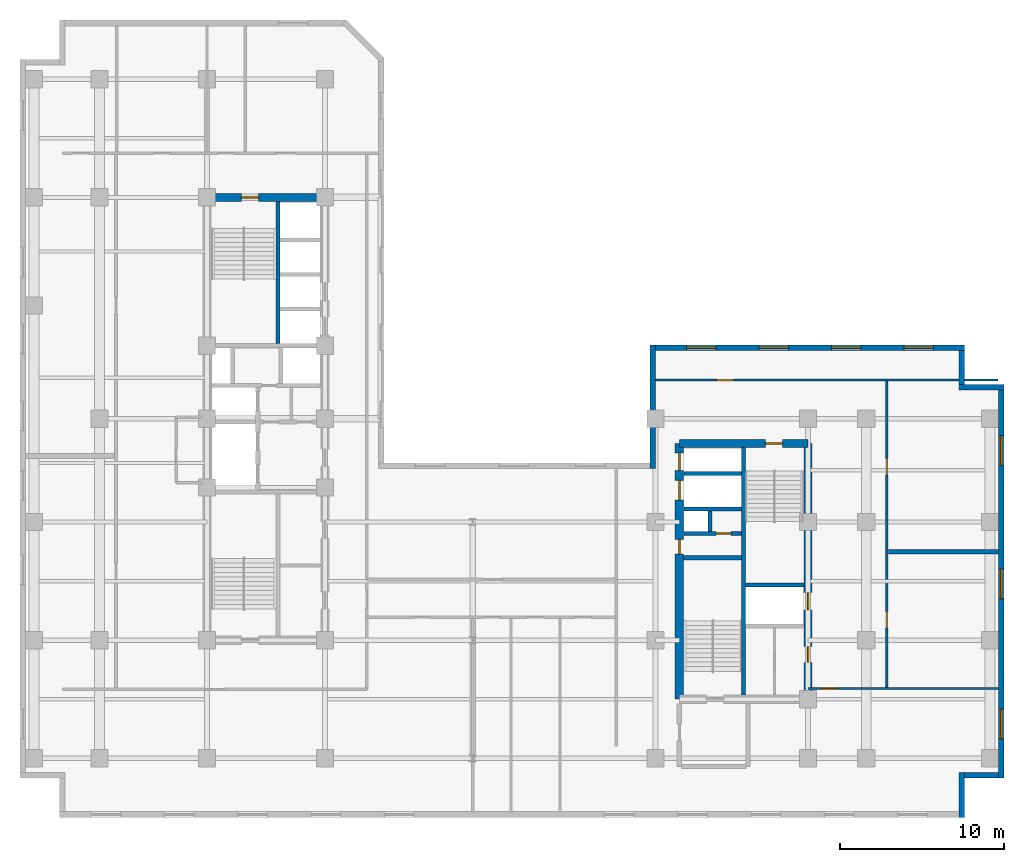
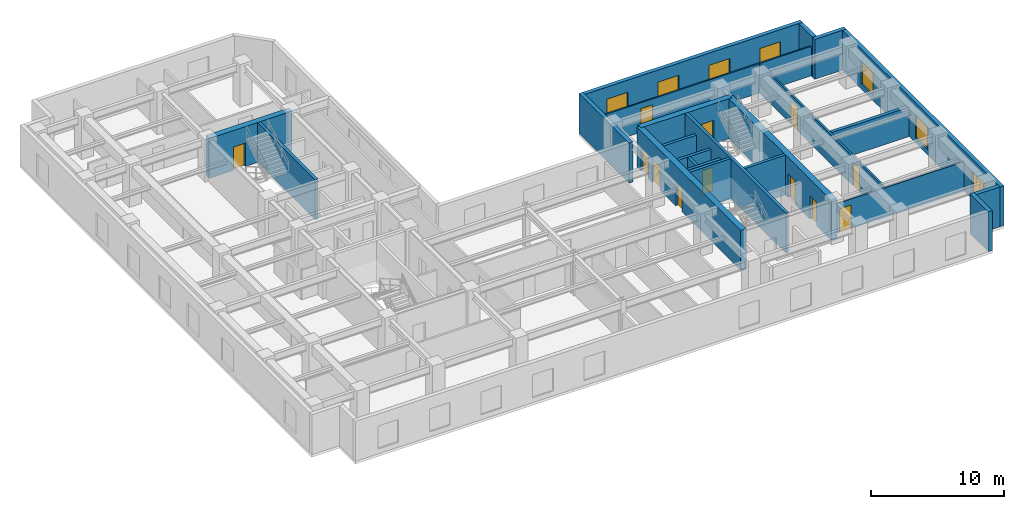
# One storey, part 5 of 9: 23 walls, 12 doors, 7 windows, 19 openings.
"""IFC4 building model written with IfcOpenShell, lengths in metres."""

import ifcopenshell
import ifcopenshell.guid

model = None  # the IFC model being written
_history = None  # IfcOwnerHistory: only IFC2X3 demands one
_inside = {}  # id of a spatial element -> (the spatial element, [elements in it])
_under = {}  # id of a project, library or spatial element -> (it, [spatial elements below it])
_declared = {}  # id of a project -> (the project, [libraries it declares])
_typed = {}  # id of a type object -> (the type object, [elements of that type])
_made_of = {}  # id of a material, layer set ... -> (it, [elements and type objects made of it])


def new_model(schema):
    """Start an empty IFC model of exactly this schema.

    Asked for "IFC4X3", IfcOpenShell would pick the latest addendum, in which some entities
    have other attributes; the version numbers below select the first issue.
    IFC2X3 requires an IfcOwnerHistory on every rooted entity: one is made here for all.
    """
    global model, _history
    if schema == "IFC4X3":
        model = ifcopenshell.file(schema_version=(4, 3, 0, 0))
    else:
        model = ifcopenshell.file(schema=schema)
    _inside.clear()
    _under.clear()
    _declared.clear()
    _typed.clear()
    _made_of.clear()
    _history = None
    if model.schema == "IFC2X3":
        org = make("IfcOrganization", Name="unknown")
        user = make(
            "IfcPersonAndOrganization",
            ThePerson=make("IfcPerson", FamilyName="unknown"),
            TheOrganization=org,
        )
        app = make(
            "IfcApplication",
            ApplicationDeveloper=org,
            Version="unknown",
            ApplicationFullName="unknown",
            ApplicationIdentifier="unknown",
        )
        _history = make(
            "IfcOwnerHistory",
            OwningUser=user,
            OwningApplication=app,
            ChangeAction="ADDED",
            CreationDate=0,
        )
    return model


def make(cls, **values):
    """One entity of the class cls with the attributes given. An attribute that is None is left unset."""
    return model.create_entity(
        cls, **{name: value for name, value in values.items() if value is not None}
    )


def entity(cls, *values):
    """Any entity or typed value of the class cls, its attributes in the order of the schema. None: left unset."""
    e = model.create_entity(cls)
    for i, value in enumerate(values):
        if value is not None:
            e[i] = value
    return e


def rooted(cls, **values):
    """An entity with a GlobalId (a new one), such as an element, a storey or a relation."""
    return make(cls, GlobalId=ifcopenshell.guid.new(), OwnerHistory=_history, **values)


def si_unit(unit_type, name, prefix=None):
    """IfcSIUnit, for example si_unit("LENGTHUNIT", "METRE", prefix="MILLI")."""
    return make("IfcSIUnit", UnitType=unit_type, Prefix=prefix, Name=name)


def converted_unit(unit_type, name, factor, base, dimensions=None, offset=None):
    """IfcConversionBasedUnit, such as the inch: factor (a typed value) times the base unit."""
    return make(
        "IfcConversionBasedUnit"
        if offset is None
        else "IfcConversionBasedUnitWithOffset",
        ConversionOffset=offset,
        Dimensions=None
        if dimensions is None
        else entity("IfcDimensionalExponents", *dimensions),
        UnitType=unit_type,
        Name=name,
        ConversionFactor=make(
            "IfcMeasureWithUnit", ValueComponent=factor, UnitComponent=base
        ),
    )


def assignment(units):
    """IfcUnitAssignment: the units of a project."""
    return None if units is None else make("IfcUnitAssignment", Units=units)


def point(xyz):
    """IfcCartesianPoint."""
    return None if xyz is None else make("IfcCartesianPoint", Coordinates=xyz)


def direction(xyz):
    """IfcDirection."""
    return None if xyz is None else make("IfcDirection", DirectionRatios=xyz)


def frame(location, z_axis=None, x_axis=None):
    """IfcAxis2Placement3D, a coordinate frame: its origin and axes. An axis left out is left unset."""
    return make(
        "IfcAxis2Placement3D",
        Location=point(location),
        Axis=direction(z_axis),
        RefDirection=direction(x_axis),
    )


def frame_2d(location, x_axis=None):
    """IfcAxis2Placement2D, a coordinate frame in the plane: its origin and x axis."""
    return make(
        "IfcAxis2Placement2D", Location=point(location), RefDirection=direction(x_axis)
    )


def origin_with_axes():
    """The frame at (0, 0, 0) with the z axis (0, 0, 1) and the x axis (1, 0, 0) written out."""
    return frame((0.0, 0.0, 0.0), z_axis=(0.0, 0.0, 1.0), x_axis=(1.0, 0.0, 0.0))


def origin_2d_with_axis():
    """The frame at (0, 0) in the plane with the x axis (1, 0) written out."""
    return frame_2d((0.0, 0.0), x_axis=(1.0, 0.0))


def place(relative_to, where):
    """IfcLocalPlacement: puts the frame where relative to a parent placement (None: the world)."""
    return make(
        "IfcLocalPlacement", PlacementRelTo=relative_to, RelativePlacement=where
    )


def context(
    kind, dimensions, precision=None, world=None, true_north=None, identifier=None
):
    """IfcGeometricRepresentationContext, for example the 3D "Model" context."""
    return make(
        "IfcGeometricRepresentationContext",
        ContextIdentifier=identifier,
        ContextType=kind,
        CoordinateSpaceDimension=dimensions,
        Precision=precision,
        WorldCoordinateSystem=world,
        TrueNorth=true_north,
    )


def subcontext(parent, identifier, kind, view, scale=None):
    """IfcGeometricRepresentationSubContext, for example "Body" below "Model"."""
    return make(
        "IfcGeometricRepresentationSubContext",
        ContextIdentifier=identifier,
        ContextType=kind,
        ParentContext=parent,
        TargetScale=scale,
        TargetView=view,
    )


def project(units=None, contexts=None):
    """IfcProject with its units and contexts."""
    return rooted(
        "IfcProject",
        Name="project",
        RepresentationContexts=contexts,
        UnitsInContext=assignment(units),
    )


def spatial(cls, under=None, at=None, **own):
    """A site, building, storey or space (cls), placed at a placement, below another one or the project."""
    s = rooted(cls, ObjectPlacement=at, **own)
    if under is not None:
        _under.setdefault(under.id(), (under, []))[1].append(s)
    return s


def polyline(points):
    """IfcPolyline through the points."""
    return make("IfcPolyline", Points=[point(p) for p in points])


def profile(cls, at=None, kind="AREA", **sizes):
    """A parametric profile (cls). Its sizes go by their IFC names, for example OverallWidth=200.0."""
    return make(cls, ProfileType=kind, Position=at, **sizes)


def rectangle(**sizes):
    """IfcRectangleProfileDef."""
    return profile("IfcRectangleProfileDef", **sizes)


def outline(outer, holes=None, kind="AREA"):
    """IfcArbitraryClosedProfileDef: a profile drawn as a closed curve; with holes, ...WithVoids."""
    if holes is None:
        return make("IfcArbitraryClosedProfileDef", ProfileType=kind, OuterCurve=outer)
    return make(
        "IfcArbitraryProfileDefWithVoids",
        ProfileType=kind,
        OuterCurve=outer,
        InnerCurves=holes,
    )


def extrude(swept, where, along, depth):
    """IfcExtrudedAreaSolid: the profile swept, set in the frame where, extruded along a direction by depth."""
    return make(
        "IfcExtrudedAreaSolid",
        SweptArea=swept,
        Position=where,
        ExtrudedDirection=direction(along),
        Depth=depth,
    )


def shape(context_of_items, identifier, shape_type, items):
    """IfcShapeRepresentation: the items that make up one representation, for example the "Body"."""
    return make(
        "IfcShapeRepresentation",
        ContextOfItems=context_of_items,
        RepresentationIdentifier=identifier,
        RepresentationType=shape_type,
        Items=items,
    )


def material(Name=None, Category=None):
    """IfcMaterial."""
    return make("IfcMaterial", Name=Name, Category=Category)


def layer(
    of_material, thickness, ventilated=None, Name=None, Category=None, Priority=None
):
    """IfcMaterialLayer: one layer of a wall or slab, of a material (None: an air gap)."""
    return make(
        "IfcMaterialLayer",
        Material=of_material,
        LayerThickness=thickness,
        IsVentilated=ventilated,
        Name=Name,
        Category=Category,
        Priority=Priority,
    )


def layer_set(layers, Name=None):
    """IfcMaterialLayerSet."""
    return make("IfcMaterialLayerSet", MaterialLayers=layers, LayerSetName=Name)


def made_of(thing, what):
    """Note that an element or type object is made of a material, layer set ...; save() writes the relation."""
    if what is not None:
        _made_of.setdefault(what.id(), (what, []))[1].append(thing)
    return thing


def type_object(cls, material=None, **own):
    """A type object (cls), such as IfcWallType, which elements share."""
    return made_of(rooted(cls, **own), material)


def element(
    cls,
    number,
    at=None,
    inside=None,
    cuts=None,
    type_object=None,
    material=None,
    context=None,
    identifier="Body",
    shape_type=None,
    held_by="IfcProductDefinitionShape",
    body=None,
    shapes=None,
    **own,
):
    """One element of the class cls, such as IfcWall. Its Tag is "e" and its number.

    at: its placement. inside: the storey or other place that contains it. cuts: it is an
    opening in that element (IfcRelVoidsElement). A single representation is given by context,
    identifier, shape_type and body (its items); several are given by shapes. held_by: the class
    of the entity that holds the representations. save() writes the other relations.
    """
    e = rooted(cls, Tag="e%d" % number, ObjectPlacement=at, **own)
    if body is not None:
        shapes = [shape(context, identifier, shape_type, body)]
    if shapes is not None:
        e.Representation = make(held_by, Representations=shapes)
    if inside is not None:
        _inside.setdefault(inside.id(), (inside, []))[1].append(e)
    if cuts is not None:
        rooted(
            "IfcRelVoidsElement", RelatingBuildingElement=cuts, RelatedOpeningElement=e
        )
    if type_object is not None:
        _typed.setdefault(type_object.id(), (type_object, []))[1].append(e)
    return made_of(e, material)


def fill(opening, filler):
    """IfcRelFillsElement: the door or window that sits in an opening."""
    return rooted(
        "IfcRelFillsElement",
        RelatingOpeningElement=opening,
        RelatedBuildingElement=filler,
    )


def aggregate(whole, parts):
    """IfcRelAggregates: a whole, such as a stair, and the parts it consists of."""
    return rooted("IfcRelAggregates", RelatingObject=whole, RelatedObjects=parts)


def save(model, path):
    """Write the relations noted so far, then the file.

    IfcRelAggregates (storeys below a building ...), IfcRelContainedInSpatialStructure (elements
    in a storey), IfcRelDefinesByType, IfcRelAssociatesMaterial and IfcRelDeclares: one each for
    every whole, place, type object, material and project.
    """
    for whole, parts in _under.values():
        aggregate(whole, parts)
    for where, things in _inside.values():
        rooted(
            "IfcRelContainedInSpatialStructure",
            RelatedElements=things,
            RelatingStructure=where,
        )
    for kind, things in _typed.values():
        rooted("IfcRelDefinesByType", RelatedObjects=things, RelatingType=kind)
    for what, things in _made_of.values():
        rooted("IfcRelAssociatesMaterial", RelatedObjects=things, RelatingMaterial=what)
    for by, libraries in _declared.values():
        rooted("IfcRelDeclares", RelatingContext=by, RelatedDefinitions=libraries)
    model.write(path)


model = new_model("IFC4")

# Units and contexts
model_context = context("Model", 3, precision=1e-05, world=origin_with_axes(), true_north=direction((0.0, 1.0)))
body_context = subcontext(model_context, "Body", "Model", "MODEL_VIEW")
ifc_project = project(units=[si_unit("LENGTHUNIT", "METRE"), si_unit("AREAUNIT", "SQUARE_METRE"), si_unit("VOLUMEUNIT", "CUBIC_METRE"), converted_unit("PLANEANGLEUNIT", "DEGREE", entity("IfcPlaneAngleMeasure", 0.017453292519943295), si_unit("PLANEANGLEUNIT", "RADIAN"), dimensions=[0, 0, 0, 0, 0, 0, 0]), si_unit("MASSUNIT", "GRAM", prefix="KILO"), si_unit("THERMODYNAMICTEMPERATUREUNIT", "KELVIN")], contexts=[model_context])

# Site, building, storey
site_placement = place(None, origin_with_axes())
site = spatial("IfcSite", under=ifc_project, at=site_placement, CompositionType="ELEMENT")
building_placement = place(site_placement, origin_with_axes())
building = spatial("IfcBuilding", under=site, at=building_placement, Name="Varnlund Millrace Tower", CompositionType="ELEMENT")
storey_placement = place(building_placement, frame((0.0, 0.0, 144.6), z_axis=(0.0, 0.0, 1.0), x_axis=(1.0, 0.0, 0.0)))
storey = spatial("IfcBuildingStorey", under=building, at=storey_placement, Name="L35", CompositionType="ELEMENT", Elevation=144.6)

# Wall, opening, door
ifc_material_1 = material(Name="Concrete C70/85", Category="concrete")
ifc_layer_1 = layer(ifc_material_1, 0.5, Name="Concrete C70/85")
ifc_layer_set_1 = layer_set([ifc_layer_1], Name="Concrete C70/85")
wall_type_1 = type_object("IfcWallType", Name="Type-CoreWall-Shear-500-C70", PredefinedType="SHEAR", material=ifc_layer_set_1)
wall_1_placement = place(storey_placement, frame((11.4, 37.8, 0.0), z_axis=(0.0, 0.0, 1.0), x_axis=(1.0, 0.0, 0.0)))
wall_1 = element("IfcWall", 1, at=wall_1_placement, inside=storey, type_object=wall_type_1, Name="Type-CoreWall-Shear-500-C70", PredefinedType="SHEAR", context=body_context, shape_type="SweptSolid", body=[
    extrude(outline(polyline([(0.0, -0.25), (7.2, -0.25), (7.2, 0.25), (0.0, 0.25), (0.0, -0.25)])), origin_with_axes(), (0.0, 0.0, 1.0), 3.66),
])
opening_1_placement = place(wall_1_placement, frame((2.625, 0.0, 0.0), z_axis=(0.0, 0.0, 1.0), x_axis=(1.0, 0.0, 0.0)))
opening_1 = element("IfcOpeningElement", 2, at=opening_1_placement, cuts=wall_1, Name="Opening L35:DR-STA2", PredefinedType="OPENING", context=body_context, shape_type="SweptSolid", body=[
    extrude(rectangle(XDim=1.05, YDim=0.52, at=origin_2d_with_axis()), origin_with_axes(), (0.0, 0.0, 1.0), 2.15),
])
ifc_material_2 = material(Name="Fire-rated hollow steel door", Category="steel")
door_type_1 = type_object("IfcDoorType", Name="Type-FireDoor-Stair-1050X2150", OperationType="NOTDEFINED", PredefinedType="DOOR", material=ifc_material_2)
door_1_placement = place(wall_1_placement, frame((2.625, 0.0, 0.0), z_axis=(0.0, 0.0, 1.0), x_axis=(1.0, 0.0, 0.0)))
door_1 = element("IfcDoor", 3, at=door_1_placement, inside=storey, type_object=door_type_1, Name="Type-FireDoor-Stair-1050X2150", OperationType="SINGLE_SWING_RIGHT", OverallHeight=2.15, OverallWidth=1.05, PredefinedType="DOOR", context=body_context, shape_type="SweptSolid", body=[
    extrude(rectangle(XDim=1.05, YDim=0.09, at=origin_2d_with_axis()), origin_with_axes(), (0.0, 0.0, 1.0), 2.15),
])
fill(opening_1, door_1)

# Wall, openings, doors
wall_2_placement = place(storey_placement, frame((40.2, 7.2, 0.0), z_axis=(0.0, 0.0, 1.0), x_axis=(0.0, 1.0, 0.0)))
wall_2 = element("IfcWall", 4, at=wall_2_placement, inside=storey, type_object=wall_type_1, Name="Type-CoreWall-Shear-500-C70", PredefinedType="SHEAR", context=body_context, shape_type="SweptSolid", body=[
    extrude(outline(polyline([(0.0, -0.25), (15.6, -0.25), (15.6, 0.25), (0.0, 0.25), (0.0, -0.25)])), origin_with_axes(), (0.0, 0.0, 1.0), 3.66),
])
opening_2_placement = place(wall_2_placement, frame((14.475, 0.0, 0.0), z_axis=(0.0, 0.0, 1.0), x_axis=(1.0, 0.0, 0.0)))
opening_2 = element("IfcOpeningElement", 5, at=opening_2_placement, cuts=wall_2, Name="Opening L35:LD-ELV-M4", PredefinedType="OPENING", context=body_context, shape_type="SweptSolid", body=[
    extrude(rectangle(XDim=1.05, YDim=0.52, at=origin_2d_with_axis()), origin_with_axes(), (0.0, 0.0, 1.0), 2.15),
])
opening_3_placement = place(wall_2_placement, frame((12.75, 0.0, 0.0), z_axis=(0.0, 0.0, 1.0), x_axis=(1.0, 0.0, 0.0)))
opening_3 = element("IfcOpeningElement", 6, at=opening_3_placement, cuts=wall_2, Name="Opening L35:LD-SRV2", PredefinedType="OPENING", context=body_context, shape_type="SweptSolid", body=[
    extrude(rectangle(XDim=1.2, YDim=0.52, at=origin_2d_with_axis()), origin_with_axes(), (0.0, 0.0, 1.0), 2.15),
])
opening_4_placement = place(wall_2_placement, frame((9.3, 0.0, 0.0), z_axis=(0.0, 0.0, 1.0), x_axis=(1.0, 0.0, 0.0)))
opening_4 = element("IfcOpeningElement", 7, at=opening_4_placement, cuts=wall_2, Name="Opening L35:DR-CB-JAN", PredefinedType="OPENING", context=body_context, shape_type="SweptSolid", body=[
    extrude(rectangle(XDim=0.9, YDim=0.52, at=origin_2d_with_axis()), origin_with_axes(), (0.0, 0.0, 1.0), 2.15),
])
ifc_material_3 = material(Name="Fire-rated hollow steel service closet door", Category="steel")
door_type_2 = type_object("IfcDoorType", Name="Type-FireDoor-Closet-900X2150", OperationType="NOTDEFINED", PredefinedType="DOOR", material=ifc_material_3)
door_2_placement = place(wall_2_placement, frame((9.3, 0.0, 0.0), z_axis=(0.0, 0.0, 1.0), x_axis=(1.0, 0.0, 0.0)))
door_2 = element("IfcDoor", 8, at=door_2_placement, inside=storey, type_object=door_type_2, Name="Type-FireDoor-Closet-900X2150", OperationType="SINGLE_SWING_RIGHT", OverallHeight=2.15, OverallWidth=0.9, PredefinedType="DOOR", context=body_context, shape_type="SweptSolid", body=[
    extrude(rectangle(XDim=0.9, YDim=0.09, at=origin_2d_with_axis()), origin_with_axes(), (0.0, 0.0, 1.0), 2.15),
])
fill(opening_4, door_2)
ifc_material_4 = material(Name="Architectural bronze sliding landing door")
door_type_3 = type_object("IfcDoorType", Name="Type-LiftLandingDoor-Compact-1050X2150", OperationType="NOTDEFINED", PredefinedType="DOOR", material=ifc_material_4)
door_3_placement = place(wall_2_placement, frame((14.475, 0.0, 0.0), z_axis=(0.0, 0.0, 1.0), x_axis=(1.0, 0.0, 0.0)))
door_3 = element("IfcDoor", 9, at=door_3_placement, inside=storey, type_object=door_type_3, Name="Type-LiftLandingDoor-Compact-1050X2150", OperationType="SLIDING_TO_RIGHT", OverallHeight=2.15, OverallWidth=1.05, PredefinedType="DOOR", context=body_context, shape_type="SweptSolid", body=[
    extrude(rectangle(XDim=1.05, YDim=0.09, at=origin_2d_with_axis()), origin_with_axes(), (0.0, 0.0, 1.0), 2.15),
])
fill(opening_2, door_3)
ifc_material_5 = material(Name="Heavy-duty freight sliding landing door")
door_type_4 = type_object("IfcDoorType", Name="Type-LiftLandingDoor-Service-1200X2150", OperationType="NOTDEFINED", PredefinedType="DOOR", material=ifc_material_5)
door_4_placement = place(wall_2_placement, frame((12.75, 0.0, 0.0), z_axis=(0.0, 0.0, 1.0), x_axis=(1.0, 0.0, 0.0)))
door_4 = element("IfcDoor", 10, at=door_4_placement, inside=storey, type_object=door_type_4, Name="Type-LiftLandingDoor-Service-1200X2150", OperationType="DOUBLE_DOOR_SLIDING", OverallHeight=2.15, OverallWidth=1.2, PredefinedType="DOOR", context=body_context, shape_type="SweptSolid", body=[
    extrude(rectangle(XDim=1.2, YDim=0.09, at=origin_2d_with_axis()), origin_with_axes(), (0.0, 0.0, 1.0), 2.15),
])
fill(opening_3, door_4)

# Wall, opening, door
wall_3_placement = place(storey_placement, frame((40.2, 22.8, 0.0), z_axis=(0.0, 0.0, 1.0), x_axis=(1.0, 0.0, 0.0)))
wall_3 = element("IfcWall", 11, at=wall_3_placement, inside=storey, type_object=wall_type_1, Name="Type-CoreWall-Shear-500-C70", PredefinedType="SHEAR", context=body_context, shape_type="SweptSolid", body=[
    extrude(outline(polyline([(0.0, -0.25), (7.85, -0.25), (7.85, 0.25), (0.0, 0.25), (0.0, -0.25)])), origin_with_axes(), (0.0, 0.0, 1.0), 3.66),
])
opening_5_placement = place(wall_3_placement, frame((5.775, 0.0, 0.0), z_axis=(0.0, 0.0, 1.0), x_axis=(1.0, 0.0, 0.0)))
opening_5 = element("IfcOpeningElement", 12, at=opening_5_placement, cuts=wall_3, Name="Opening L35:DR-STB2", PredefinedType="OPENING", context=body_context, shape_type="SweptSolid", body=[
    extrude(rectangle(XDim=1.05, YDim=0.52, at=origin_2d_with_axis()), origin_with_axes(), (0.0, 0.0, 1.0), 2.15),
])
door_5_placement = place(wall_3_placement, frame((5.775, 0.0, 0.0), z_axis=(0.0, 0.0, 1.0), x_axis=(1.0, 0.0, 0.0)))
door_5 = element("IfcDoor", 13, at=door_5_placement, inside=storey, type_object=door_type_1, Name="Type-FireDoor-Stair-1050X2150", OperationType="SINGLE_SWING_RIGHT", OverallHeight=2.15, OverallWidth=1.05, PredefinedType="DOOR", context=body_context, shape_type="SweptSolid", body=[
    extrude(rectangle(XDim=1.05, YDim=0.09, at=origin_2d_with_axis()), origin_with_axes(), (0.0, 0.0, 1.0), 2.15),
])
fill(opening_5, door_5)

# Wall, openings, doors
wall_4_placement = place(storey_placement, frame((48.05, 7.2, 0.0), z_axis=(0.0, 0.0, 1.0), x_axis=(0.0, 1.0, 0.0)))
wall_4 = element("IfcWall", 14, at=wall_4_placement, inside=storey, type_object=wall_type_1, Name="Type-CoreWall-Shear-500-C70", PredefinedType="SHEAR", context=body_context, shape_type="SweptSolid", body=[
    extrude(outline(polyline([(0.0, -0.25), (15.6, -0.25), (15.6, 0.25), (0.0, 0.25), (0.0, -0.25)])), origin_with_axes(), (0.0, 0.0, 1.0), 3.66),
])
opening_6_placement = place(wall_4_placement, frame((5.975, 0.0, 0.0), z_axis=(0.0, 0.0, 1.0), x_axis=(1.0, 0.0, 0.0)))
opening_6 = element("IfcOpeningElement", 15, at=opening_6_placement, cuts=wall_4, Name="Opening L35:LD-ELV-M3", PredefinedType="OPENING", context=body_context, shape_type="SweptSolid", body=[
    extrude(rectangle(XDim=1.05, YDim=0.52, at=origin_2d_with_axis()), origin_with_axes(), (0.0, 0.0, 1.0), 2.15),
])
opening_7_placement = place(wall_4_placement, frame((2.725, 0.0, 0.0), z_axis=(0.0, 0.0, 1.0), x_axis=(1.0, 0.0, 0.0)))
opening_7 = element("IfcOpeningElement", 16, at=opening_7_placement, cuts=wall_4, Name="Opening L35:DR-CB-WC2", PredefinedType="OPENING", context=body_context, shape_type="SweptSolid", body=[
    extrude(rectangle(XDim=0.95, YDim=0.52, at=origin_2d_with_axis()), origin_with_axes(), (0.0, 0.0, 1.0), 2.15),
])
ifc_material_6 = material(Name="Fire-rated hollow steel core service door", Category="steel")
door_type_5 = type_object("IfcDoorType", Name="Type-FireDoor-Service-950X2150", OperationType="NOTDEFINED", PredefinedType="DOOR", material=ifc_material_6)
door_6_placement = place(wall_4_placement, frame((2.725, 0.0, 0.0), z_axis=(0.0, 0.0, 1.0), x_axis=(1.0, 0.0, 0.0)))
door_6 = element("IfcDoor", 17, at=door_6_placement, inside=storey, type_object=door_type_5, Name="Type-FireDoor-Service-950X2150", OperationType="SINGLE_SWING_LEFT", OverallHeight=2.15, OverallWidth=0.95, PredefinedType="DOOR", context=body_context, shape_type="SweptSolid", body=[
    extrude(rectangle(XDim=0.95, YDim=0.09, at=origin_2d_with_axis()), origin_with_axes(), (0.0, 0.0, 1.0), 2.15),
])
fill(opening_7, door_6)
door_7_placement = place(wall_4_placement, frame((5.975, 0.0, 0.0), z_axis=(0.0, 0.0, 1.0), x_axis=(1.0, 0.0, 0.0)))
door_7 = element("IfcDoor", 18, at=door_7_placement, inside=storey, type_object=door_type_3, Name="Type-LiftLandingDoor-Compact-1050X2150", OperationType="SLIDING_TO_LEFT", OverallHeight=2.15, OverallWidth=1.05, PredefinedType="DOOR", context=body_context, shape_type="SweptSolid", body=[
    extrude(rectangle(XDim=1.05, YDim=0.09, at=origin_2d_with_axis()), origin_with_axes(), (0.0, 0.0, 1.0), 2.15),
])
fill(opening_6, door_7)

# Wall
ifc_material_7 = material(Name="Precast concrete C50/60", Category="concrete")
ifc_layer_2 = layer(ifc_material_7, 0.34, Name="Precast concrete C50/60")
ifc_layer_set_2 = layer_set([ifc_layer_2], Name="Precast concrete C50/60")
wall_type_2 = type_object("IfcWallType", Name="Type-ExtWall-Precast-Upper-340", PredefinedType="SOLIDWALL", material=ifc_layer_set_2)
wall_5_placement = place(storey_placement, frame((38.57, 21.26, 0.0), z_axis=(0.0, 0.0, 1.0), x_axis=(0.0, 1.0, 0.0)))
element("IfcWall", 19, at=wall_5_placement, inside=storey, type_object=wall_type_2, Name="Type-ExtWall-Precast-Upper-340", PredefinedType="SOLIDWALL", context=body_context, shape_type="SweptSolid", body=[
    extrude(outline(polyline([(0.0, -0.17), (7.54, -0.17), (7.54, 0.17), (0.0, 0.17), (0.0, -0.17)])), origin_with_axes(), (0.0, 0.0, 1.0), 3.66),
])

# Wall, openings, windows
wall_6_placement = place(storey_placement, frame((38.74, 28.63, 0.0), z_axis=(0.0, 0.0, 1.0), x_axis=(1.0, 0.0, 0.0)))
wall_6 = element("IfcWall", 20, at=wall_6_placement, inside=storey, type_object=wall_type_2, Name="Type-ExtWall-Precast-Upper-340", PredefinedType="SOLIDWALL", context=body_context, shape_type="SweptSolid", body=[
    extrude(outline(polyline([(0.0, -0.17), (18.86, -0.17), (18.86, 0.17), (0.0, 0.17), (0.0, -0.17)])), origin_with_axes(), (0.0, 0.0, 1.0), 3.66),
])
opening_8_placement = place(wall_6_placement, frame((2.808, 0.0, 0.45), z_axis=(0.0, 0.0, 1.0), x_axis=(1.0, 0.0, 0.0)))
opening_8 = element("IfcOpeningElement", 21, at=opening_8_placement, cuts=wall_6, Name="Opening L35:WN-01", PredefinedType="OPENING", context=body_context, shape_type="SweptSolid", body=[
    extrude(rectangle(XDim=1.8, YDim=0.36, at=origin_2d_with_axis()), origin_with_axes(), (0.0, 0.0, 1.0), 2.1),
])
opening_9_placement = place(wall_6_placement, frame((7.222, 0.0, 0.45), z_axis=(0.0, 0.0, 1.0), x_axis=(1.0, 0.0, 0.0)))
opening_9 = element("IfcOpeningElement", 22, at=opening_9_placement, cuts=wall_6, Name="Opening L35:WN-02", PredefinedType="OPENING", context=body_context, shape_type="SweptSolid", body=[
    extrude(rectangle(XDim=1.8, YDim=0.36, at=origin_2d_with_axis()), origin_with_axes(), (0.0, 0.0, 1.0), 2.1),
])
opening_10_placement = place(wall_6_placement, frame((11.637, 0.0, 0.45), z_axis=(0.0, 0.0, 1.0), x_axis=(1.0, 0.0, 0.0)))
opening_10 = element("IfcOpeningElement", 23, at=opening_10_placement, cuts=wall_6, Name="Opening L35:WN-03", PredefinedType="OPENING", context=body_context, shape_type="SweptSolid", body=[
    extrude(rectangle(XDim=1.8, YDim=0.36, at=origin_2d_with_axis()), origin_with_axes(), (0.0, 0.0, 1.0), 2.1),
])
opening_11_placement = place(wall_6_placement, frame((16.053, 0.0, 0.45), z_axis=(0.0, 0.0, 1.0), x_axis=(1.0, 0.0, 0.0)))
opening_11 = element("IfcOpeningElement", 24, at=opening_11_placement, cuts=wall_6, Name="Opening L35:WN-04", PredefinedType="OPENING", context=body_context, shape_type="SweptSolid", body=[
    extrude(rectangle(XDim=1.8, YDim=0.36, at=origin_2d_with_axis()), origin_with_axes(), (0.0, 0.0, 1.0), 2.1),
])
ifc_material_8 = material(Name="Argon low-e triple glazing in thermally broken bronze frame", Category="glass")
window_type = type_object("IfcWindowType", Name="Type-Window-Punched-1800X2100", PartitioningType="SINGLE_PANEL", PredefinedType="WINDOW", material=ifc_material_8)
window_1_placement = place(wall_6_placement, frame((2.808, 0.0, 0.45), z_axis=(0.0, 0.0, 1.0), x_axis=(1.0, 0.0, 0.0)))
window_1 = element("IfcWindow", 25, at=window_1_placement, inside=storey, type_object=window_type, Name="Type-Window-Punched-1800X2100", OverallHeight=2.1, OverallWidth=1.8, PredefinedType="WINDOW", context=body_context, shape_type="SweptSolid", body=[
    extrude(rectangle(XDim=1.8, YDim=0.09, at=origin_2d_with_axis()), origin_with_axes(), (0.0, 0.0, 1.0), 2.1),
])
fill(opening_8, window_1)
window_2_placement = place(wall_6_placement, frame((7.222, 0.0, 0.45), z_axis=(0.0, 0.0, 1.0), x_axis=(1.0, 0.0, 0.0)))
window_2 = element("IfcWindow", 26, at=window_2_placement, inside=storey, type_object=window_type, Name="Type-Window-Punched-1800X2100", OverallHeight=2.1, OverallWidth=1.8, PredefinedType="WINDOW", context=body_context, shape_type="SweptSolid", body=[
    extrude(rectangle(XDim=1.8, YDim=0.09, at=origin_2d_with_axis()), origin_with_axes(), (0.0, 0.0, 1.0), 2.1),
])
fill(opening_9, window_2)
window_3_placement = place(wall_6_placement, frame((11.637, 0.0, 0.45), z_axis=(0.0, 0.0, 1.0), x_axis=(1.0, 0.0, 0.0)))
window_3 = element("IfcWindow", 27, at=window_3_placement, inside=storey, type_object=window_type, Name="Type-Window-Punched-1800X2100", OverallHeight=2.1, OverallWidth=1.8, PredefinedType="WINDOW", context=body_context, shape_type="SweptSolid", body=[
    extrude(rectangle(XDim=1.8, YDim=0.09, at=origin_2d_with_axis()), origin_with_axes(), (0.0, 0.0, 1.0), 2.1),
])
fill(opening_10, window_3)
window_4_placement = place(wall_6_placement, frame((16.053, 0.0, 0.45), z_axis=(0.0, 0.0, 1.0), x_axis=(1.0, 0.0, 0.0)))
window_4 = element("IfcWindow", 28, at=window_4_placement, inside=storey, type_object=window_type, Name="Type-Window-Punched-1800X2100", OverallHeight=2.1, OverallWidth=1.8, PredefinedType="WINDOW", context=body_context, shape_type="SweptSolid", body=[
    extrude(rectangle(XDim=1.8, YDim=0.09, at=origin_2d_with_axis()), origin_with_axes(), (0.0, 0.0, 1.0), 2.1),
])
fill(opening_11, window_4)

# Walls
wall_7_placement = place(storey_placement, frame((57.43, 28.46, 0.0), z_axis=(0.0, 0.0, 1.0), x_axis=(0.0, -1.0, 0.0)))
element("IfcWall", 29, at=wall_7_placement, inside=storey, type_object=wall_type_2, Name="Type-ExtWall-Precast-Upper-340", PredefinedType="SOLIDWALL", context=body_context, shape_type="SweptSolid", body=[
    extrude(outline(polyline([(0.0, -0.17), (2.06, -0.17), (2.06, 0.17), (0.0, 0.17), (0.0, -0.17)])), origin_with_axes(), (0.0, 0.0, 1.0), 3.66),
])
wall_8_placement = place(storey_placement, frame((57.26, 26.23, 0.0), z_axis=(0.0, 0.0, 1.0), x_axis=(1.0, 0.0, 0.0)))
element("IfcWall", 30, at=wall_8_placement, inside=storey, type_object=wall_type_2, Name="Type-ExtWall-Precast-Upper-340", PredefinedType="SOLIDWALL", context=body_context, shape_type="SweptSolid", body=[
    extrude(outline(polyline([(0.0, -0.17), (2.74, -0.17), (2.74, 0.17), (0.0, 0.17), (0.0, -0.17)])), origin_with_axes(), (0.0, 0.0, 1.0), 3.66),
])

# Wall, openings, windows
wall_9_placement = place(storey_placement, frame((59.83, 26.06, 0.0), z_axis=(0.0, 0.0, 1.0), x_axis=(0.0, -1.0, 0.0)))
wall_9 = element("IfcWall", 31, at=wall_9_placement, inside=storey, type_object=wall_type_2, Name="Type-ExtWall-Precast-Upper-340", PredefinedType="SOLIDWALL", context=body_context, shape_type="SweptSolid", body=[
    extrude(outline(polyline([(0.0, -0.17), (23.66, -0.17), (23.66, 0.17), (0.0, 0.17), (0.0, -0.17)])), origin_with_axes(), (0.0, 0.0, 1.0), 3.66),
])
opening_12_placement = place(wall_9_placement, frame((3.696, 0.0, 0.45), z_axis=(0.0, 0.0, 1.0), x_axis=(1.0, 0.0, 0.0)))
opening_12 = element("IfcOpeningElement", 32, at=opening_12_placement, cuts=wall_9, Name="Opening L35:WN-05", PredefinedType="OPENING", context=body_context, shape_type="SweptSolid", body=[
    extrude(rectangle(XDim=1.8, YDim=0.36, at=origin_2d_with_axis()), origin_with_axes(), (0.0, 0.0, 1.0), 2.1),
])
opening_13_placement = place(wall_9_placement, frame((11.83, 0.0, 0.45), z_axis=(0.0, 0.0, 1.0), x_axis=(1.0, 0.0, 0.0)))
opening_13 = element("IfcOpeningElement", 33, at=opening_13_placement, cuts=wall_9, Name="Opening L35:WN-06", PredefinedType="OPENING", context=body_context, shape_type="SweptSolid", body=[
    extrude(rectangle(XDim=1.8, YDim=0.36, at=origin_2d_with_axis()), origin_with_axes(), (0.0, 0.0, 1.0), 2.1),
])
opening_14_placement = place(wall_9_placement, frame((20.364, 0.0, 0.45), z_axis=(0.0, 0.0, 1.0), x_axis=(1.0, 0.0, 0.0)))
opening_14 = element("IfcOpeningElement", 34, at=opening_14_placement, cuts=wall_9, Name="Opening L35:WN-07", PredefinedType="OPENING", context=body_context, shape_type="SweptSolid", body=[
    extrude(rectangle(XDim=1.8, YDim=0.36, at=origin_2d_with_axis()), origin_with_axes(), (0.0, 0.0, 1.0), 2.1),
])
window_5_placement = place(wall_9_placement, frame((3.696, 0.0, 0.45), z_axis=(0.0, 0.0, 1.0), x_axis=(1.0, 0.0, 0.0)))
window_5 = element("IfcWindow", 35, at=window_5_placement, inside=storey, type_object=window_type, Name="Type-Window-Punched-1800X2100", OverallHeight=2.1, OverallWidth=1.8, PredefinedType="WINDOW", context=body_context, shape_type="SweptSolid", body=[
    extrude(rectangle(XDim=1.8, YDim=0.09, at=origin_2d_with_axis()), origin_with_axes(), (0.0, 0.0, 1.0), 2.1),
])
fill(opening_12, window_5)
window_6_placement = place(wall_9_placement, frame((11.83, 0.0, 0.45), z_axis=(0.0, 0.0, 1.0), x_axis=(1.0, 0.0, 0.0)))
window_6 = element("IfcWindow", 36, at=window_6_placement, inside=storey, type_object=window_type, Name="Type-Window-Punched-1800X2100", OverallHeight=2.1, OverallWidth=1.8, PredefinedType="WINDOW", context=body_context, shape_type="SweptSolid", body=[
    extrude(rectangle(XDim=1.8, YDim=0.09, at=origin_2d_with_axis()), origin_with_axes(), (0.0, 0.0, 1.0), 2.1),
])
fill(opening_13, window_6)
window_7_placement = place(wall_9_placement, frame((20.364, 0.0, 0.45), z_axis=(0.0, 0.0, 1.0), x_axis=(1.0, 0.0, 0.0)))
window_7 = element("IfcWindow", 37, at=window_7_placement, inside=storey, type_object=window_type, Name="Type-Window-Punched-1800X2100", OverallHeight=2.1, OverallWidth=1.8, PredefinedType="WINDOW", context=body_context, shape_type="SweptSolid", body=[
    extrude(rectangle(XDim=1.8, YDim=0.09, at=origin_2d_with_axis()), origin_with_axes(), (0.0, 0.0, 1.0), 2.1),
])
fill(opening_14, window_7)

# Walls
wall_10_placement = place(storey_placement, frame((59.66, 2.57, 0.0), z_axis=(0.0, 0.0, 1.0), x_axis=(-1.0, 0.0, 0.0)))
element("IfcWall", 38, at=wall_10_placement, inside=storey, type_object=wall_type_2, Name="Type-ExtWall-Precast-Upper-340", PredefinedType="SOLIDWALL", context=body_context, shape_type="SweptSolid", body=[
    extrude(outline(polyline([(0.0, -0.17), (2.06, -0.17), (2.06, 0.17), (0.0, 0.17), (0.0, -0.17)])), origin_with_axes(), (0.0, 0.0, 1.0), 3.66),
])
wall_11_placement = place(storey_placement, frame((57.43, 2.74, 0.0), z_axis=(0.0, 0.0, 1.0), x_axis=(0.0, -1.0, 0.0)))
element("IfcWall", 39, at=wall_11_placement, inside=storey, type_object=wall_type_2, Name="Type-ExtWall-Precast-Upper-340", PredefinedType="SOLIDWALL", context=body_context, shape_type="SweptSolid", body=[
    extrude(outline(polyline([(0.0, -0.17), (2.74, -0.17), (2.74, 0.17), (0.0, 0.17), (0.0, -0.17)])), origin_with_axes(), (0.0, 0.0, 1.0), 3.66),
])
ifc_material_9 = material(Name="Double-stud STC-60 conference acoustic partition", Category="gypsum")
ifc_layer_3 = layer(ifc_material_9, 0.28, Name="Double-stud STC-60 conference acoustic partition")
ifc_layer_set_3 = layer_set([ifc_layer_3], Name="Double-stud STC-60 conference acoustic partition")
wall_type_3 = type_object("IfcWallType", Name="Type-Partition-Acoustic-280", PredefinedType="PARTITIONING", material=ifc_layer_set_3)
wall_12_placement = place(storey_placement, frame((52.97, 16.18, 0.0), z_axis=(0.0, 0.0, 1.0), x_axis=(1.0, 0.0, 0.0)))
element("IfcWall", 40, at=wall_12_placement, inside=storey, type_object=wall_type_3, Name="Type-Partition-Acoustic-280", PredefinedType="PARTITIONING", context=body_context, shape_type="SweptSolid", body=[
    extrude(outline(polyline([(0.0, -0.14), (6.695, -0.14), (6.695, 0.14), (0.0, 0.14), (0.0, -0.14)])), origin_with_axes(), (0.0, 0.0, 1.0), 2.7),
])

# Wall, openings, doors
ifc_material_10 = material(Name="Fire-rated gypsum board on cold-formed steel framing", Category="steel")
ifc_layer_4 = layer(ifc_material_10, 0.16, Name="Fire-rated gypsum board on cold-formed steel framing")
ifc_layer_set_4 = layer_set([ifc_layer_4], Name="Fire-rated gypsum board on cold-formed steel framing")
wall_type_4 = type_object("IfcWallType", Name="Type-Partition-Corridor-160", PredefinedType="PARTITIONING", material=ifc_layer_set_4)
wall_13_placement = place(storey_placement, frame((52.85, 7.85, 0.0), z_axis=(0.0, 0.0, 1.0), x_axis=(0.0, 1.0, 0.0)))
wall_13 = element("IfcWall", 41, at=wall_13_placement, inside=storey, type_object=wall_type_4, Name="Type-Partition-Corridor-160", PredefinedType="PARTITIONING", context=body_context, shape_type="SweptSolid", body=[
    extrude(outline(polyline([(0.0, -0.08), (18.8, -0.08), (18.8, 0.08), (0.0, 0.08), (0.0, -0.08)])), origin_with_axes(), (0.0, 0.0, 1.0), 2.7),
])
opening_15_placement = place(wall_13_placement, frame((4.195, 0.0, 0.0), z_axis=(0.0, 0.0, 1.0), x_axis=(1.0, 0.0, 0.0)))
opening_15 = element("IfcOpeningElement", 42, at=opening_15_placement, cuts=wall_13, Name="Opening L35:DR-WB-01", PredefinedType="OPENING", context=body_context, shape_type="SweptSolid", body=[
    extrude(rectangle(XDim=1.0, YDim=0.18, at=origin_2d_with_axis()), origin_with_axes(), (0.0, 0.0, 1.0), 2.15),
])
opening_16_placement = place(wall_13_placement, frame((13.535, 0.0, 0.0), z_axis=(0.0, 0.0, 1.0), x_axis=(1.0, 0.0, 0.0)))
opening_16 = element("IfcOpeningElement", 43, at=opening_16_placement, cuts=wall_13, Name="Opening L35:DR-WB-02", PredefinedType="OPENING", context=body_context, shape_type="SweptSolid", body=[
    extrude(rectangle(XDim=1.0, YDim=0.18, at=origin_2d_with_axis()), origin_with_axes(), (0.0, 0.0, 1.0), 2.15),
])
ifc_material_11 = material(Name="Solid-core white oak and bronze frame door")
door_type_6 = type_object("IfcDoorType", Name="Type-IntDoor-Office-1000X2150", OperationType="NOTDEFINED", PredefinedType="DOOR", material=ifc_material_11)
door_8_placement = place(wall_13_placement, frame((4.195, 0.0, 0.0), z_axis=(0.0, 0.0, 1.0), x_axis=(1.0, 0.0, 0.0)))
door_8 = element("IfcDoor", 44, at=door_8_placement, inside=storey, type_object=door_type_6, Name="Type-IntDoor-Office-1000X2150", OperationType="SINGLE_SWING_LEFT", OverallHeight=2.15, OverallWidth=1.0, PredefinedType="DOOR", context=body_context, shape_type="SweptSolid", body=[
    extrude(rectangle(XDim=1.0, YDim=0.09, at=origin_2d_with_axis()), origin_with_axes(), (0.0, 0.0, 1.0), 2.15),
])
fill(opening_15, door_8)
door_9_placement = place(wall_13_placement, frame((13.535, 0.0, 0.0), z_axis=(0.0, 0.0, 1.0), x_axis=(1.0, 0.0, 0.0)))
door_9 = element("IfcDoor", 45, at=door_9_placement, inside=storey, type_object=door_type_6, Name="Type-IntDoor-Office-1000X2150", OperationType="SINGLE_SWING_RIGHT", OverallHeight=2.15, OverallWidth=1.0, PredefinedType="DOOR", context=body_context, shape_type="SweptSolid", body=[
    extrude(rectangle(XDim=1.0, YDim=0.09, at=origin_2d_with_axis()), origin_with_axes(), (0.0, 0.0, 1.0), 2.15),
])
fill(opening_16, door_9)

# Wall, opening, door
ifc_material_12 = material(Name="Gypsum board tenant partition", Category="gypsum")
ifc_layer_5 = layer(ifc_material_12, 0.125, Name="Gypsum board tenant partition")
ifc_layer_set_5 = layer_set([ifc_layer_5], Name="Gypsum board tenant partition")
wall_type_5 = type_object("IfcWallType", Name="Type-Partition-Tenant-125", PredefinedType="PARTITIONING", material=ifc_layer_set_5)
wall_14_placement = place(storey_placement, frame((59.665, 7.85, 0.0), z_axis=(0.0, 0.0, 1.0), x_axis=(-1.0, 0.0, 0.0)))
wall_14 = element("IfcWall", 46, at=wall_14_placement, inside=storey, type_object=wall_type_5, Name="Type-Partition-Tenant-125", PredefinedType="PARTITIONING", context=body_context, shape_type="SweptSolid", body=[
    extrude(outline(polyline([(0.0, -0.0625), (11.615, -0.0625), (11.615, 0.0625), (0.0, 0.0625), (0.0, -0.0625)])), origin_with_axes(), (0.0, 0.0, 1.0), 2.7),
])
opening_17_placement = place(wall_14_placement, frame((10.315, 0.0, 0.0), z_axis=(0.0, 0.0, 1.0), x_axis=(1.0, 0.0, 0.0)))
opening_17 = element("IfcOpeningElement", 47, at=opening_17_placement, cuts=wall_14, Name="Opening L35:DR-WBS-01", PredefinedType="OPENING", context=body_context, shape_type="SweptSolid", body=[
    extrude(rectangle(XDim=1.0, YDim=0.145, at=origin_2d_with_axis()), origin_with_axes(), (0.0, 0.0, 1.0), 2.15),
])
door_10_placement = place(wall_14_placement, frame((10.315, 0.0, 0.0), z_axis=(0.0, 0.0, 1.0), x_axis=(1.0, 0.0, 0.0)))
door_10 = element("IfcDoor", 48, at=door_10_placement, inside=storey, type_object=door_type_6, Name="Type-IntDoor-Office-1000X2150", OperationType="SINGLE_SWING_LEFT", OverallHeight=2.15, OverallWidth=1.0, PredefinedType="DOOR", context=body_context, shape_type="SweptSolid", body=[
    extrude(rectangle(XDim=1.0, YDim=0.075, at=origin_2d_with_axis()), origin_with_axes(), (0.0, 0.0, 1.0), 2.15),
])
fill(opening_17, door_10)

wall_15_placement = place(storey_placement, frame((38.735, 26.65, 0.0), z_axis=(0.0, 0.0, 1.0), x_axis=(1.0, 0.0, 0.0)))
wall_15 = element("IfcWall", 49, at=wall_15_placement, inside=storey, type_object=wall_type_5, Name="Type-Partition-Tenant-125", PredefinedType="PARTITIONING", context=body_context, shape_type="SweptSolid", body=[
    extrude(outline(polyline([(0.0, -0.0625), (20.905, -0.0625), (20.905, 0.0625), (0.0, 0.0625), (0.0, -0.0625)])), origin_with_axes(), (0.0, 0.0, 1.0), 2.7),
])
opening_18_placement = place(wall_15_placement, frame((4.265, 0.0, 0.0), z_axis=(0.0, 0.0, 1.0), x_axis=(1.0, 0.0, 0.0)))
opening_18 = element("IfcOpeningElement", 50, at=opening_18_placement, cuts=wall_15, Name="Opening L35:DR-WBN-01", PredefinedType="OPENING", context=body_context, shape_type="SweptSolid", body=[
    extrude(rectangle(XDim=1.0, YDim=0.145, at=origin_2d_with_axis()), origin_with_axes(), (0.0, 0.0, 1.0), 2.15),
])
door_11_placement = place(wall_15_placement, frame((4.265, 0.0, 0.0), z_axis=(0.0, 0.0, 1.0), x_axis=(1.0, 0.0, 0.0)))
door_11 = element("IfcDoor", 51, at=door_11_placement, inside=storey, type_object=door_type_6, Name="Type-IntDoor-Office-1000X2150", OperationType="SINGLE_SWING_RIGHT", OverallHeight=2.15, OverallWidth=1.0, PredefinedType="DOOR", context=body_context, shape_type="SweptSolid", body=[
    extrude(rectangle(XDim=1.0, YDim=0.075, at=origin_2d_with_axis()), origin_with_axes(), (0.0, 0.0, 1.0), 2.15),
])
fill(opening_18, door_11)

ifc_material_13 = material(Name="Concrete C60/75", Category="concrete")
ifc_layer_6 = layer(ifc_material_13, 0.25, Name="Concrete C60/75")
ifc_layer_set_6 = layer_set([ifc_layer_6], Name="Concrete C60/75")
wall_type_6 = type_object("IfcWallType", Name="Type-ShaftWall-Fire-250", PredefinedType="SOLIDWALL", material=ifc_layer_set_6)
wall_16_placement = place(storey_placement, frame((40.5, 17.3, 0.0), z_axis=(0.0, 0.0, 1.0), x_axis=(1.0, 0.0, 0.0)))
wall_16 = element("IfcWall", 52, at=wall_16_placement, inside=storey, type_object=wall_type_6, Name="Type-ShaftWall-Fire-250", PredefinedType="SOLIDWALL", context=body_context, shape_type="SweptSolid", body=[
    extrude(outline(polyline([(0.0, -0.125), (3.5, -0.125), (3.5, 0.125), (0.0, 0.125), (0.0, -0.125)])), origin_with_axes(), (0.0, 0.0, 1.0), 2.7),
])
opening_19_placement = place(wall_16_placement, frame((2.4, 0.0, 0.0), z_axis=(0.0, 0.0, 1.0), x_axis=(1.0, 0.0, 0.0)))
opening_19 = element("IfcOpeningElement", 53, at=opening_19_placement, cuts=wall_16, Name="Opening L35:DR-CB-ELC", PredefinedType="OPENING", context=body_context, shape_type="SweptSolid", body=[
    extrude(rectangle(XDim=0.9, YDim=0.27, at=origin_2d_with_axis()), origin_with_axes(), (0.0, 0.0, 1.0), 2.15),
])
door_12_placement = place(wall_16_placement, frame((2.4, 0.0, 0.0), z_axis=(0.0, 0.0, 1.0), x_axis=(1.0, 0.0, 0.0)))
door_12 = element("IfcDoor", 54, at=door_12_placement, inside=storey, type_object=door_type_2, Name="Type-FireDoor-Closet-900X2150", OperationType="SINGLE_SWING_LEFT", OverallHeight=2.15, OverallWidth=0.9, PredefinedType="DOOR", context=body_context, shape_type="SweptSolid", body=[
    extrude(rectangle(XDim=0.9, YDim=0.09, at=origin_2d_with_axis()), origin_with_axes(), (0.0, 0.0, 1.0), 2.15),
])
fill(opening_19, door_12)

# Walls
wall_17_placement = place(storey_placement, frame((40.5, 18.8, 0.0), z_axis=(0.0, 0.0, 1.0), x_axis=(1.0, 0.0, 0.0)))
element("IfcWall", 55, at=wall_17_placement, inside=storey, type_object=wall_type_6, Name="Type-ShaftWall-Fire-250", PredefinedType="SOLIDWALL", context=body_context, shape_type="SweptSolid", body=[
    extrude(outline(polyline([(0.0, -0.125), (3.5, -0.125), (3.5, 0.125), (0.0, 0.125), (0.0, -0.125)])), origin_with_axes(), (0.0, 0.0, 1.0), 2.7),
])
wall_18_placement = place(storey_placement, frame((42.075, 17.43, 0.0), z_axis=(0.0, 0.0, 1.0), x_axis=(0.0, 1.0, 0.0)))
element("IfcWall", 56, at=wall_18_placement, inside=storey, type_object=wall_type_6, Name="Type-ShaftWall-Fire-250", PredefinedType="SOLIDWALL", context=body_context, shape_type="SweptSolid", body=[
    extrude(outline(polyline([(0.0, -0.125), (1.24, -0.125), (1.24, 0.125), (0.0, 0.125), (0.0, -0.125)])), origin_with_axes(), (0.0, 0.0, 1.0), 2.7),
])
wall_19_placement = place(storey_placement, frame((40.5, 20.96, 0.0), z_axis=(0.0, 0.0, 1.0), x_axis=(1.0, 0.0, 0.0)))
element("IfcWall", 57, at=wall_19_placement, inside=storey, type_object=wall_type_6, Name="Type-ShaftWall-Fire-250", PredefinedType="SOLIDWALL", context=body_context, shape_type="SweptSolid", body=[
    extrude(outline(polyline([(0.0, -0.125), (3.5, -0.125), (3.5, 0.125), (0.0, 0.125), (0.0, -0.125)])), origin_with_axes(), (0.0, 0.0, 1.0), 2.7),
])
wall_type_7 = type_object("IfcWallType", Name="Type-StairWall-Shear-250", PredefinedType="SHEAR", material=ifc_layer_set_6)
wall_20_placement = place(storey_placement, frame((15.725, 28.9, 0.0), z_axis=(0.0, 0.0, 1.0), x_axis=(0.0, 1.0, 0.0)))
element("IfcWall", 58, at=wall_20_placement, inside=storey, type_object=wall_type_7, Name="Type-StairWall-Shear-250", PredefinedType="SHEAR", context=body_context, shape_type="SweptSolid", body=[
    extrude(outline(polyline([(0.0, -0.125), (8.65, -0.125), (8.65, 0.125), (0.0, 0.125), (0.0, -0.125)])), origin_with_axes(), (0.0, 0.0, 1.0), 3.66),
])
wall_21_placement = place(storey_placement, frame((44.125, 7.45, 0.0), z_axis=(0.0, 0.0, 1.0), x_axis=(0.0, 1.0, 0.0)))
element("IfcWall", 59, at=wall_21_placement, inside=storey, type_object=wall_type_7, Name="Type-StairWall-Shear-250", PredefinedType="SHEAR", context=body_context, shape_type="SweptSolid", body=[
    extrude(outline(polyline([(0.0, -0.125), (15.1, -0.125), (15.1, 0.125), (0.0, 0.125), (0.0, -0.125)])), origin_with_axes(), (0.0, 0.0, 1.0), 3.66),
])
for number, where, z_axis, x_axis, name in (
    (60, (40.45, 15.825, 0.0), (0.0, 0.0, 1.0), (1.0, 0.0, 0.0), "Type-StairWall-Shear-250"),
    (61, (44.25, 14.175, 0.0), (0.0, 0.0, 1.0), (1.0, 0.0, 0.0), "Type-StairWall-Shear-250"),
):
    element("IfcWall", number, at=place(storey_placement, frame(where, z_axis=z_axis, x_axis=x_axis)), inside=storey, type_object=wall_type_7, Name=name, PredefinedType="SHEAR", context=body_context, shape_type="SweptSolid", body=[
        extrude(outline(polyline([(0.0, -0.125), (3.55, -0.125), (3.55, 0.125), (0.0, 0.125), (0.0, -0.125)])), origin_with_axes(), (0.0, 0.0, 1.0), 3.66),
    ])

save(model, "model.ifc")
